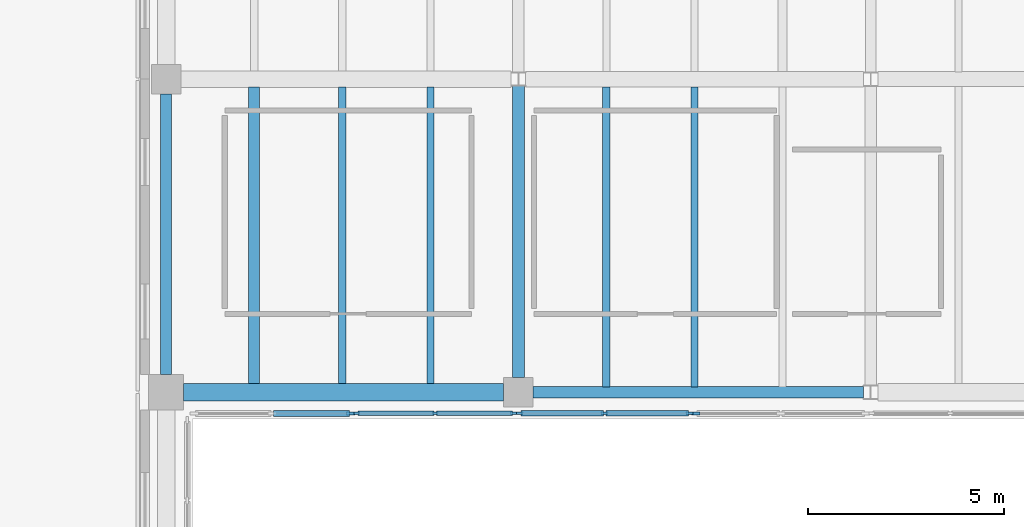
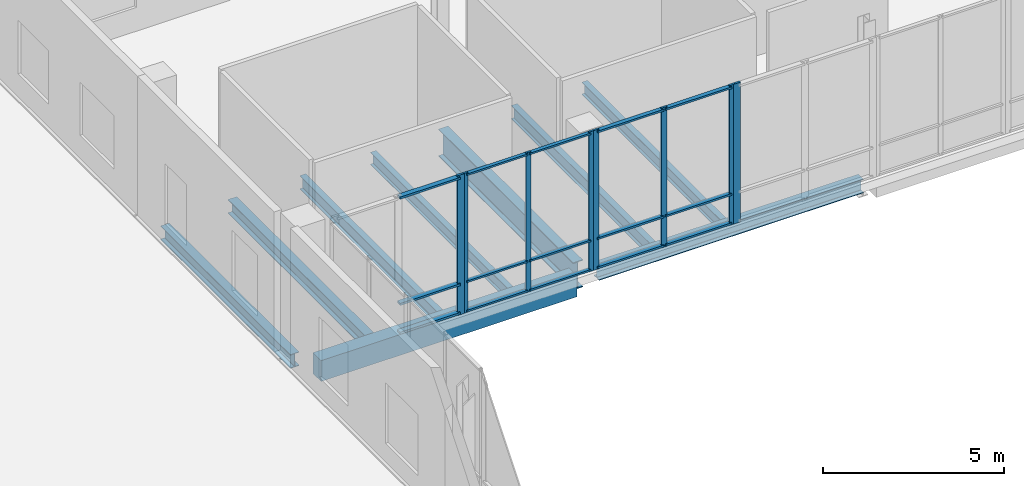
# One storey, part 25 of 60: 23 members, 9 beams, 4 elements without a shape of their own.
"""IFC4 building model written with IfcOpenShell, lengths in metres."""

from ifc_helpers import new_model, si_unit, direction, frame, origin, origin_2d, place, context, subcontext, project, spatial, rectangle, i_section, extrude, material, material_profile, profile_set, type_object, element, aggregate, save


model = new_model("IFC4")

# Units and contexts
model_context = context("Model", 3, precision=1e-05, world=origin(), true_north=direction((0.0, 1.0)))
body_context = subcontext(model_context, "Body", "Model", "MODEL_VIEW")
ifc_project = project(units=[si_unit("LENGTHUNIT", "METRE"), si_unit("AREAUNIT", "SQUARE_METRE"), si_unit("VOLUMEUNIT", "CUBIC_METRE"), si_unit("PLANEANGLEUNIT", "RADIAN"), si_unit("MASSUNIT", "GRAM", prefix="KILO")], contexts=[model_context])

# Site, building, storey
site_placement = place(None, origin())
site = spatial("IfcSite", under=ifc_project, at=site_placement, CompositionType="ELEMENT")
building_placement = place(site_placement, origin())
building = spatial("IfcBuilding", under=site, at=building_placement, Name="Trimount Lyric Opera House", CompositionType="ELEMENT")
storey_placement = place(building_placement, frame((0.0, 0.0, 15.0)))
storey = spatial("IfcBuildingStorey", under=building, at=storey_placement, Name="L03", CompositionType="ELEMENT", Elevation=15.0)

# Beams
ifc_material_1 = material(Name="Steel ASTM A992 Grade 50", Category="steel")
ifc_material_profile_1 = material_profile(ifc_material_1, i_section(OverallWidth=0.304931640625, OverallDepth=0.9189453125, WebThickness=0.017333984375, FlangeThickness=0.02783203125, FilletRadius=0.02001953125, at=origin_2d()), Name="W36X170")
ifc_profile_set_1 = profile_set([ifc_material_profile_1], Name="Steel ASTM A992 Grade 50")
beam_type_1 = type_object("IfcBeamType", Name="B-03", PredefinedType="BEAM", material=ifc_profile_set_1)
beam_1_placement = place(storey_placement, frame((27.0, 102.375, -0.739501953125), z_axis=(0.0, 1.0, 0.0), x_axis=(-1.0, 0.0, 0.0)))
element("IfcBeam", 1, at=beam_1_placement, inside=storey, type_object=beam_type_1, Name="L03 girder Y-1048", PredefinedType="BEAM", context=body_context, shape_type="SweptSolid", body=[
    extrude(i_section(OverallWidth=0.304931640625, OverallDepth=0.9189453125, WebThickness=0.017333984375, FlangeThickness=0.02783203125, FilletRadius=0.02001953125, at=origin_2d()), origin(), (0.0, 0.0, 1.0), 7.447021484375),
])
ifc_material_2 = material(Name="Steel ASTM A992 Grade 50", Category="steel")
ifc_material_profile_2 = material_profile(ifc_material_2, i_section(OverallWidth=0.281982421875, OverallDepth=0.467041015625, WebThickness=0.01220703125, FlangeThickness=0.01953125, FilletRadius=0.012939453125, at=origin_2d()), Name="W18X86")
ifc_profile_set_2 = profile_set([ifc_material_profile_2], Name="Steel ASTM A992 Grade 50")
beam_type_2 = type_object("IfcBeamType", Name="J-03", PredefinedType="BEAM", material=ifc_profile_set_2)
beam_2_placement = place(storey_placement, frame((20.25, 102.220947265625, -0.513427734375), z_axis=(0.0, 1.0, 0.0), x_axis=(-1.0, 0.0, 0.0)))
element("IfcBeam", 2, at=beam_2_placement, inside=storey, type_object=beam_type_2, Name="L03 composite floor joist 1001", PredefinedType="BEAM", context=body_context, shape_type="SweptSolid", body=[
    extrude(i_section(OverallWidth=0.281982421875, OverallDepth=0.467041015625, WebThickness=0.01220703125, FlangeThickness=0.01953125, FilletRadius=0.012939453125, at=origin_2d()), origin(), (0.0, 0.0, 1.0), 7.573486328125),
])
ifc_material_3 = material(Name="Steel ASTM A992 Grade 50", Category="steel")
ifc_material_profile_3 = material_profile(ifc_material_3, i_section(OverallWidth=0.19091796875, OverallDepth=0.45703125, WebThickness=0.009033203125, FlangeThickness=0.014404296875, FilletRadius=0.010986328125, at=origin_2d()), Name="W18X50")
ifc_profile_set_3 = profile_set([ifc_material_profile_3], Name="Steel ASTM A992 Grade 50")
beam_type_3 = type_object("IfcBeamType", Name="J-04", PredefinedType="BEAM", material=ifc_profile_set_3)
beam_3_placement = place(storey_placement, frame((22.5, 102.220947265625, -0.508544921875), z_axis=(0.0, 1.0, 0.0), x_axis=(-1.0, 0.0, 0.0)))
element("IfcBeam", 3, at=beam_3_placement, inside=storey, type_object=beam_type_3, Name="L03 composite floor joist 1002", PredefinedType="BEAM", context=body_context, shape_type="SweptSolid", body=[
    extrude(i_section(OverallWidth=0.19091796875, OverallDepth=0.45703125, WebThickness=0.009033203125, FlangeThickness=0.014404296875, FilletRadius=0.010986328125, at=origin_2d()), origin(), (0.0, 0.0, 1.0), 7.573486328125),
])
beam_4_placement = place(storey_placement, frame((29.25, 102.136962890625, -0.508544921875), z_axis=(0.0, 1.0, 0.0), x_axis=(-1.0, 0.0, 0.0)))
element("IfcBeam", 4, at=beam_4_placement, inside=storey, type_object=beam_type_3, Name="L03 composite floor joist 1011", PredefinedType="BEAM", context=body_context, shape_type="SweptSolid", body=[
    extrude(i_section(OverallWidth=0.19091796875, OverallDepth=0.45703125, WebThickness=0.009033203125, FlangeThickness=0.014404296875, FilletRadius=0.010986328125, at=origin_2d()), origin(), (0.0, 0.0, 1.0), 7.66650390625),
])
ifc_material_4 = material(Name="Steel ASTM A992 Grade 50", Category="steel")
ifc_material_profile_4 = material_profile(ifc_material_4, i_section(OverallWidth=0.180908203125, OverallDepth=0.4169921875, WebThickness=0.010986328125, FlangeThickness=0.018310546875, FilletRadius=0.010986328125, at=origin_2d()), Name="W16X57")
ifc_profile_set_4 = profile_set([ifc_material_profile_4], Name="Steel ASTM A992 Grade 50")
beam_type_4 = type_object("IfcBeamType", Name="J-05", PredefinedType="BEAM", material=ifc_profile_set_4)
beam_5_placement = place(storey_placement, frame((24.75, 102.220947265625, -0.488525390625), z_axis=(0.0, 1.0, 0.0), x_axis=(-1.0, 0.0, 0.0)))
element("IfcBeam", 5, at=beam_5_placement, inside=storey, type_object=beam_type_4, Name="L03 composite floor joist 1003", PredefinedType="BEAM", context=body_context, shape_type="SweptSolid", body=[
    extrude(i_section(OverallWidth=0.180908203125, OverallDepth=0.4169921875, WebThickness=0.010986328125, FlangeThickness=0.018310546875, FilletRadius=0.010986328125, at=origin_2d()), origin(), (0.0, 0.0, 1.0), 7.573486328125),
])
beam_6_placement = place(storey_placement, frame((31.5, 102.136962890625, -0.488525390625), z_axis=(0.0, 1.0, 0.0), x_axis=(-1.0, 0.0, 0.0)))
element("IfcBeam", 6, at=beam_6_placement, inside=storey, type_object=beam_type_4, Name="L03 composite floor joist 1012", PredefinedType="BEAM", context=body_context, shape_type="SweptSolid", body=[
    extrude(i_section(OverallWidth=0.180908203125, OverallDepth=0.4169921875, WebThickness=0.010986328125, FlangeThickness=0.018310546875, FilletRadius=0.010986328125, at=origin_2d()), origin(), (0.0, 0.0, 1.0), 7.66650390625),
])

# Curtain wall, member
ifc_material_5 = material(Name="Thermally Broken Aluminium and Low-E Glass", Category="aluminium")
curtain_wall_type = type_object("IfcCurtainWallType", Name="CW-03", PredefinedType="NOTDEFINED", material=ifc_material_5)
curtain_wall_1_placement = place(storey_placement, origin())
curtain_wall_1 = element("IfcCurtainWall", 7, at=curtain_wall_1_placement, inside=storey, type_object=curtain_wall_type, Name="L03 curtain wall 285", PredefinedType="NOTDEFINED")
ifc_material_6 = material(Name="Anodised Aluminium 6063-T6", Category="aluminium")
ifc_material_profile_5 = material_profile(ifc_material_6, rectangle(XDim=0.070068359375, YDim=0.219970703125, at=origin_2d()), Name="ALU-MULL-70X220")
ifc_profile_set_5 = profile_set([ifc_material_profile_5], Name="Anodised Aluminium 6063-T6")
member_type_1 = type_object("IfcMemberType", Name="ML-01", PredefinedType="MULLION", material=ifc_profile_set_5)
member_1_placement = place(storey_placement, frame((31.534912109375, 101.4599609375, 0.0), z_axis=(0.0, 0.0, 1.0), x_axis=(0.0, -1.0, 0.0)))
member_1 = element("IfcMember", 8, at=member_1_placement, type_object=member_type_1, Name="CW-03 mullion 3", PredefinedType="MULLION", context=body_context, shape_type="SweptSolid", body=[
    extrude(rectangle(XDim=0.070068359375, YDim=0.219970703125, at=origin_2d()), origin(), (0.0, 0.0, 1.0), 4.719970703125),
])
aggregate(curtain_wall_1, [member_1])

curtain_wall_2_placement = place(storey_placement, origin())
curtain_wall_2 = element("IfcCurtainWall", 9, at=curtain_wall_2_placement, inside=storey, type_object=curtain_wall_type, Name="L03 curtain wall 288", PredefinedType="NOTDEFINED")
member_2_placement = place(storey_placement, frame((22.715087890625, 101.4599609375, 0.0), z_axis=(0.0, 0.0, 1.0), x_axis=(0.0, -1.0, 0.0)))
member_2 = element("IfcMember", 10, at=member_2_placement, type_object=member_type_1, Name="CW-03 mullion 1", PredefinedType="MULLION", context=body_context, shape_type="SweptSolid", body=[
    extrude(rectangle(XDim=0.070068359375, YDim=0.219970703125, at=origin_2d()), origin(), (0.0, 0.0, 1.0), 4.719970703125),
])

# Curtain wall, members
curtain_wall_3_placement = place(storey_placement, origin())
curtain_wall_3 = element("IfcCurtainWall", 11, at=curtain_wall_3_placement, inside=storey, type_object=curtain_wall_type, Name="L03 curtain wall 286", PredefinedType="NOTDEFINED")
ifc_material_7 = material(Name="Anodised Aluminium 6063-T6", Category="aluminium")
ifc_material_profile_6 = material_profile(ifc_material_7, rectangle(XDim=0.06494140625, YDim=0.179931640625, at=origin_2d()), Name="ALU-MULL-65X180")
ifc_profile_set_6 = profile_set([ifc_material_profile_6], Name="Anodised Aluminium 6063-T6")
member_type_2 = type_object("IfcMemberType", Name="ML-02", PredefinedType="MULLION", material=ifc_profile_set_6)
member_3_placement = place(storey_placement, frame((31.37744140625, 101.4599609375, 0.0), z_axis=(0.0, 0.0, 1.0), x_axis=(0.0, -1.0, 0.0)))
member_3 = element("IfcMember", 12, at=member_3_placement, type_object=member_type_2, Name="CW-03 mullion 1", PredefinedType="MULLION", context=body_context, shape_type="SweptSolid", body=[
    extrude(rectangle(XDim=0.06494140625, YDim=0.179931640625, at=origin_2d()), origin(), (0.0, 0.0, 1.0), 4.719970703125),
])
member_4_placement = place(storey_placement, frame((29.205078125, 101.4599609375, 0.0), z_axis=(0.0, 0.0, 1.0), x_axis=(0.0, -1.0, 0.0)))
member_4 = element("IfcMember", 13, at=member_4_placement, type_object=member_type_2, Name="CW-03 mullion 2", PredefinedType="MULLION", context=body_context, shape_type="SweptSolid", body=[
    extrude(rectangle(XDim=0.06494140625, YDim=0.179931640625, at=origin_2d()), origin(), (0.0, 0.0, 1.0), 4.719970703125),
])
member_5_placement = place(storey_placement, frame((27.032470703125, 101.4599609375, 0.0), z_axis=(0.0, 0.0, 1.0), x_axis=(0.0, -1.0, 0.0)))
member_5 = element("IfcMember", 14, at=member_5_placement, type_object=member_type_2, Name="CW-03 mullion 3", PredefinedType="MULLION", context=body_context, shape_type="SweptSolid", body=[
    extrude(rectangle(XDim=0.06494140625, YDim=0.179931640625, at=origin_2d()), origin(), (0.0, 0.0, 1.0), 4.719970703125),
])

curtain_wall_4_placement = place(storey_placement, origin())
curtain_wall_4 = element("IfcCurtainWall", 15, at=curtain_wall_4_placement, inside=storey, type_object=curtain_wall_type, Name="L03 curtain wall 287", PredefinedType="NOTDEFINED")
ifc_material_8 = material(Name="Anodised Aluminium 6063-T6", Category="aluminium")
ifc_material_profile_7 = material_profile(ifc_material_8, rectangle(XDim=0.06005859375, YDim=0.14990234375, at=origin_2d()), Name="ALU-MULL-60X150")
ifc_profile_set_7 = profile_set([ifc_material_profile_7], Name="Anodised Aluminium 6063-T6")
member_type_3 = type_object("IfcMemberType", Name="ML-03", PredefinedType="MULLION", material=ifc_profile_set_7)
member_6_placement = place(storey_placement, frame((26.8798828125, 101.4599609375, 0.0), z_axis=(0.0, 0.0, 1.0), x_axis=(0.0, -1.0, 0.0)))
member_6 = element("IfcMember", 16, at=member_6_placement, type_object=member_type_3, Name="CW-03 mullion 1", PredefinedType="MULLION", context=body_context, shape_type="SweptSolid", body=[
    extrude(rectangle(XDim=0.06005859375, YDim=0.14990234375, at=origin_2d()), origin(), (0.0, 0.0, 1.0), 4.719970703125),
])
member_7_placement = place(storey_placement, frame((24.875, 101.4599609375, 0.0), z_axis=(0.0, 0.0, 1.0), x_axis=(0.0, -1.0, 0.0)))
member_7 = element("IfcMember", 17, at=member_7_placement, type_object=member_type_3, Name="CW-03 mullion 2", PredefinedType="MULLION", context=body_context, shape_type="SweptSolid", body=[
    extrude(rectangle(XDim=0.06005859375, YDim=0.14990234375, at=origin_2d()), origin(), (0.0, 0.0, 1.0), 4.719970703125),
])
member_8_placement = place(storey_placement, frame((22.8701171875, 101.4599609375, 0.0), z_axis=(0.0, 0.0, 1.0), x_axis=(0.0, -1.0, 0.0)))
member_8 = element("IfcMember", 18, at=member_8_placement, type_object=member_type_3, Name="CW-03 mullion 3", PredefinedType="MULLION", context=body_context, shape_type="SweptSolid", body=[
    extrude(rectangle(XDim=0.06005859375, YDim=0.14990234375, at=origin_2d()), origin(), (0.0, 0.0, 1.0), 4.719970703125),
])

# Beams
ifc_material_9 = material(Name="Steel ASTM A992 Grade 50", Category="steel")
ifc_material_profile_8 = material_profile(ifc_material_9, i_section(OverallWidth=0.281982421875, OverallDepth=0.467041015625, WebThickness=0.01220703125, FlangeThickness=0.01953125, FilletRadius=0.012939453125, at=origin_2d()), Name="W18X86")
ifc_profile_set_8 = profile_set([ifc_material_profile_8], Name="Steel ASTM A992 Grade 50")
beam_type_5 = type_object("IfcBeamType", Name="SP-01", PredefinedType="SPANDREL", material=ifc_profile_set_8)
beam_7_placement = place(storey_placement, frame((27.375, 102.0, -0.513427734375), z_axis=(1.0, 0.0, 0.0), x_axis=(0.0, 1.0, 0.0)))
element("IfcBeam", 19, at=beam_7_placement, inside=storey, type_object=beam_type_5, Name="L03 girder X-0998", PredefinedType="SPANDREL", context=body_context, shape_type="SweptSolid", body=[
    extrude(i_section(OverallWidth=0.281982421875, OverallDepth=0.467041015625, WebThickness=0.01220703125, FlangeThickness=0.01953125, FilletRadius=0.012939453125, at=origin_2d()), origin(), (0.0, 0.0, 1.0), 8.44091796875),
])
beam_8_placement = place(storey_placement, frame((18.0, 102.449951171875, -0.513427734375), z_axis=(0.0, 1.0, 0.0), x_axis=(-1.0, 0.0, 0.0)))
element("IfcBeam", 20, at=beam_8_placement, inside=storey, type_object=beam_type_5, Name="L03 girder Y-1044", PredefinedType="SPANDREL", context=body_context, shape_type="SweptSolid", body=[
    extrude(i_section(OverallWidth=0.281982421875, OverallDepth=0.467041015625, WebThickness=0.01220703125, FlangeThickness=0.01953125, FilletRadius=0.012939453125, at=origin_2d()), origin(), (0.0, 0.0, 1.0), 7.175048828125),
])
ifc_material_10 = material(Name="Concrete C40/50", Category="concrete")
ifc_material_profile_9 = material_profile(ifc_material_10, rectangle(XDim=0.449951171875, YDim=0.699951171875, at=origin_2d()), Name="RC450X700")
ifc_profile_set_9 = profile_set([ifc_material_profile_9], Name="Concrete C40/50")
beam_type_6 = type_object("IfcBeamType", Name="SP-02", PredefinedType="SPANDREL", material=ifc_profile_set_9)
beam_9_placement = place(storey_placement, frame((18.449951171875, 102.0, -0.6298828125), z_axis=(1.0, 0.0, 0.0), x_axis=(0.0, 1.0, 0.0)))
element("IfcBeam", 21, at=beam_9_placement, inside=storey, type_object=beam_type_6, Name="L03 girder X-0997", PredefinedType="SPANDREL", context=body_context, shape_type="SweptSolid", body=[
    extrude(rectangle(XDim=0.449951171875, YDim=0.699951171875, at=origin_2d()), origin(), (0.0, 0.0, 1.0), 8.175048828125),
])

# Member
ifc_material_11 = material(Name="Anodised Aluminium 6063-T6", Category="aluminium")
ifc_material_profile_10 = material_profile(ifc_material_11, rectangle(XDim=0.159912109375, YDim=0.070068359375, at=origin_2d()), Name="ALU-TRAN-70X160")
ifc_profile_set_10 = profile_set([ifc_material_profile_10], Name="Anodised Aluminium 6063-T6")
member_type_4 = type_object("IfcMemberType", Name="TR-01", PredefinedType="USERDEFINED", material=ifc_profile_set_10)
member_9_placement = place(storey_placement, frame((22.679931640625, 101.4599609375, 0.080078125), z_axis=(-1.0, 0.0, 0.0), x_axis=(0.0, -1.0, 0.0)))
member_9 = element("IfcMember", 22, at=member_9_placement, type_object=member_type_4, Name="CW-03 transom 1.1", ObjectType="TRANSOM", PredefinedType="USERDEFINED", context=body_context, shape_type="SweptSolid", body=[
    extrude(rectangle(XDim=0.159912109375, YDim=0.070068359375, at=origin_2d()), origin(), (0.0, 0.0, 1.0), 1.929931640625),
])

member_10_placement = place(storey_placement, frame((22.679931640625, 101.4599609375, 1.050048828125), z_axis=(-1.0, 0.0, 0.0), x_axis=(0.0, -1.0, 0.0)))
member_10 = element("IfcMember", 23, at=member_10_placement, type_object=member_type_4, Name="CW-03 transom 1.2", ObjectType="TRANSOM", PredefinedType="USERDEFINED", context=body_context, shape_type="SweptSolid", body=[
    extrude(rectangle(XDim=0.159912109375, YDim=0.070068359375, at=origin_2d()), origin(), (0.0, 0.0, 1.0), 1.929931640625),
])

member_11_placement = place(storey_placement, frame((22.679931640625, 101.4599609375, 4.639892578125), z_axis=(-1.0, 0.0, 0.0), x_axis=(0.0, -1.0, 0.0)))
member_11 = element("IfcMember", 24, at=member_11_placement, type_object=member_type_4, Name="CW-03 transom 1.3", ObjectType="TRANSOM", PredefinedType="USERDEFINED", context=body_context, shape_type="SweptSolid", body=[
    extrude(rectangle(XDim=0.159912109375, YDim=0.070068359375, at=origin_2d()), origin(), (0.0, 0.0, 1.0), 1.929931640625),
])

aggregate(curtain_wall_2, [member_2, member_9, member_10, member_11])

ifc_material_12 = material(Name="Anodised Aluminium 6063-T6", Category="aluminium")
ifc_material_profile_11 = material_profile(ifc_material_12, rectangle(XDim=0.135009765625, YDim=0.06494140625, at=origin_2d()), Name="ALU-TRAN-65X135")
ifc_profile_set_11 = profile_set([ifc_material_profile_11], Name="Anodised Aluminium 6063-T6")
member_type_5 = type_object("IfcMemberType", Name="TR-02", PredefinedType="USERDEFINED", material=ifc_profile_set_11)
member_12_placement = place(storey_placement, frame((31.344970703125, 101.4599609375, 0.0673828125), z_axis=(-1.0, 0.0, 0.0), x_axis=(0.0, -1.0, 0.0)))
member_12 = element("IfcMember", 25, at=member_12_placement, type_object=member_type_5, Name="CW-03 transom 1.1", ObjectType="TRANSOM", PredefinedType="USERDEFINED", context=body_context, shape_type="SweptSolid", body=[
    extrude(rectangle(XDim=0.135009765625, YDim=0.06494140625, at=origin_2d()), origin(), (0.0, 0.0, 1.0), 2.107421875),
])

member_13_placement = place(storey_placement, frame((31.344970703125, 101.4599609375, 1.050048828125), z_axis=(-1.0, 0.0, 0.0), x_axis=(0.0, -1.0, 0.0)))
member_13 = element("IfcMember", 26, at=member_13_placement, type_object=member_type_5, Name="CW-03 transom 1.2", ObjectType="TRANSOM", PredefinedType="USERDEFINED", context=body_context, shape_type="SweptSolid", body=[
    extrude(rectangle(XDim=0.135009765625, YDim=0.06494140625, at=origin_2d()), origin(), (0.0, 0.0, 1.0), 2.107421875),
])

member_14_placement = place(storey_placement, frame((31.344970703125, 101.4599609375, 4.652587890625), z_axis=(-1.0, 0.0, 0.0), x_axis=(0.0, -1.0, 0.0)))
member_14 = element("IfcMember", 27, at=member_14_placement, type_object=member_type_5, Name="CW-03 transom 1.3", ObjectType="TRANSOM", PredefinedType="USERDEFINED", context=body_context, shape_type="SweptSolid", body=[
    extrude(rectangle(XDim=0.135009765625, YDim=0.06494140625, at=origin_2d()), origin(), (0.0, 0.0, 1.0), 2.107421875),
])

member_15_placement = place(storey_placement, frame((29.172607421875, 101.4599609375, 0.0673828125), z_axis=(-1.0, 0.0, 0.0), x_axis=(0.0, -1.0, 0.0)))
member_15 = element("IfcMember", 28, at=member_15_placement, type_object=member_type_5, Name="CW-03 transom 2.1", ObjectType="TRANSOM", PredefinedType="USERDEFINED", context=body_context, shape_type="SweptSolid", body=[
    extrude(rectangle(XDim=0.135009765625, YDim=0.06494140625, at=origin_2d()), origin(), (0.0, 0.0, 1.0), 2.107666015625),
])

member_16_placement = place(storey_placement, frame((29.172607421875, 101.4599609375, 1.050048828125), z_axis=(-1.0, 0.0, 0.0), x_axis=(0.0, -1.0, 0.0)))
member_16 = element("IfcMember", 29, at=member_16_placement, type_object=member_type_5, Name="CW-03 transom 2.2", ObjectType="TRANSOM", PredefinedType="USERDEFINED", context=body_context, shape_type="SweptSolid", body=[
    extrude(rectangle(XDim=0.135009765625, YDim=0.06494140625, at=origin_2d()), origin(), (0.0, 0.0, 1.0), 2.107666015625),
])

member_17_placement = place(storey_placement, frame((29.172607421875, 101.4599609375, 4.652587890625), z_axis=(-1.0, 0.0, 0.0), x_axis=(0.0, -1.0, 0.0)))
member_17 = element("IfcMember", 30, at=member_17_placement, type_object=member_type_5, Name="CW-03 transom 2.3", ObjectType="TRANSOM", PredefinedType="USERDEFINED", context=body_context, shape_type="SweptSolid", body=[
    extrude(rectangle(XDim=0.135009765625, YDim=0.06494140625, at=origin_2d()), origin(), (0.0, 0.0, 1.0), 2.107666015625),
])

aggregate(curtain_wall_3, [member_3, member_4, member_5, member_12, member_13, member_14, member_15, member_16, member_17])

ifc_material_13 = material(Name="Anodised Aluminium 6063-T6", Category="aluminium")
ifc_material_profile_12 = material_profile(ifc_material_13, rectangle(XDim=0.114990234375, YDim=0.06005859375, at=origin_2d()), Name="ALU-TRAN-60X115")
ifc_profile_set_12 = profile_set([ifc_material_profile_12], Name="Anodised Aluminium 6063-T6")
member_type_6 = type_object("IfcMemberType", Name="TR-03", PredefinedType="USERDEFINED", material=ifc_profile_set_12)
member_18_placement = place(storey_placement, frame((26.85009765625, 101.4599609375, 0.0576171875), z_axis=(-1.0, 0.0, 0.0), x_axis=(0.0, -1.0, 0.0)))
member_18 = element("IfcMember", 31, at=member_18_placement, type_object=member_type_6, Name="CW-03 transom 1.1", ObjectType="TRANSOM", PredefinedType="USERDEFINED", context=body_context, shape_type="SweptSolid", body=[
    extrude(rectangle(XDim=0.114990234375, YDim=0.06005859375, at=origin_2d()), origin(), (0.0, 0.0, 1.0), 1.945068359375),
])

member_19_placement = place(storey_placement, frame((26.85009765625, 101.4599609375, 1.050048828125), z_axis=(-1.0, 0.0, 0.0), x_axis=(0.0, -1.0, 0.0)))
member_19 = element("IfcMember", 32, at=member_19_placement, type_object=member_type_6, Name="CW-03 transom 1.2", ObjectType="TRANSOM", PredefinedType="USERDEFINED", context=body_context, shape_type="SweptSolid", body=[
    extrude(rectangle(XDim=0.114990234375, YDim=0.06005859375, at=origin_2d()), origin(), (0.0, 0.0, 1.0), 1.945068359375),
])

member_20_placement = place(storey_placement, frame((26.85009765625, 101.4599609375, 4.66259765625), z_axis=(-1.0, 0.0, 0.0), x_axis=(0.0, -1.0, 0.0)))
member_20 = element("IfcMember", 33, at=member_20_placement, type_object=member_type_6, Name="CW-03 transom 1.3", ObjectType="TRANSOM", PredefinedType="USERDEFINED", context=body_context, shape_type="SweptSolid", body=[
    extrude(rectangle(XDim=0.114990234375, YDim=0.06005859375, at=origin_2d()), origin(), (0.0, 0.0, 1.0), 1.945068359375),
])

member_21_placement = place(storey_placement, frame((24.844970703125, 101.4599609375, 0.0576171875), z_axis=(-1.0, 0.0, 0.0), x_axis=(0.0, -1.0, 0.0)))
member_21 = element("IfcMember", 34, at=member_21_placement, type_object=member_type_6, Name="CW-03 transom 2.1", ObjectType="TRANSOM", PredefinedType="USERDEFINED", context=body_context, shape_type="SweptSolid", body=[
    extrude(rectangle(XDim=0.114990234375, YDim=0.06005859375, at=origin_2d()), origin(), (0.0, 0.0, 1.0), 1.945068359375),
])

member_22_placement = place(storey_placement, frame((24.844970703125, 101.4599609375, 1.050048828125), z_axis=(-1.0, 0.0, 0.0), x_axis=(0.0, -1.0, 0.0)))
member_22 = element("IfcMember", 35, at=member_22_placement, type_object=member_type_6, Name="CW-03 transom 2.2", ObjectType="TRANSOM", PredefinedType="USERDEFINED", context=body_context, shape_type="SweptSolid", body=[
    extrude(rectangle(XDim=0.114990234375, YDim=0.06005859375, at=origin_2d()), origin(), (0.0, 0.0, 1.0), 1.945068359375),
])

member_23_placement = place(storey_placement, frame((24.844970703125, 101.4599609375, 4.66259765625), z_axis=(-1.0, 0.0, 0.0), x_axis=(0.0, -1.0, 0.0)))
member_23 = element("IfcMember", 36, at=member_23_placement, type_object=member_type_6, Name="CW-03 transom 2.3", ObjectType="TRANSOM", PredefinedType="USERDEFINED", context=body_context, shape_type="SweptSolid", body=[
    extrude(rectangle(XDim=0.114990234375, YDim=0.06005859375, at=origin_2d()), origin(), (0.0, 0.0, 1.0), 1.945068359375),
])

aggregate(curtain_wall_4, [member_6, member_7, member_8, member_18, member_19, member_20, member_21, member_22, member_23])

save(model, "model.ifc")
